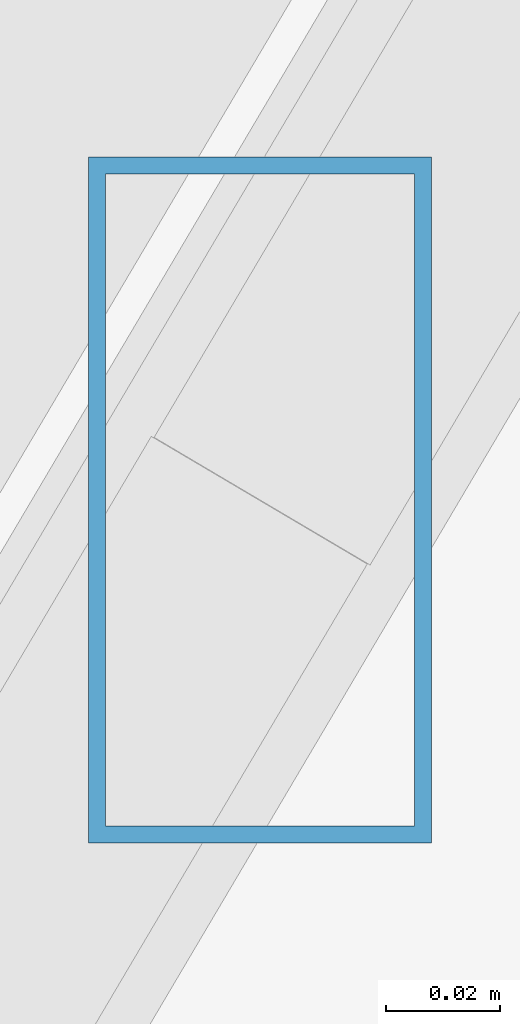
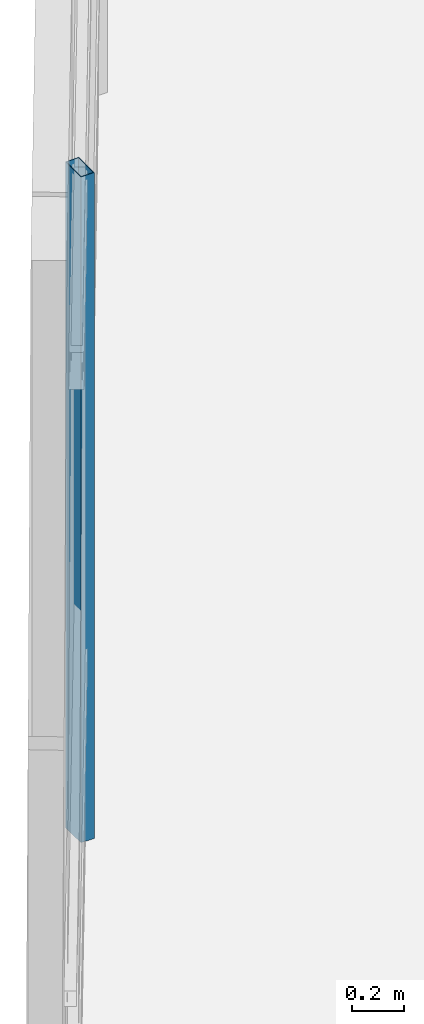
# One storey, part 7 of 44: 1 member, 1 element without a shape of its own.
"""IFC4 building model written with IfcOpenShell, lengths in metres."""

from ifc_helpers import new_model, si_unit, direction, frame, origin, origin_2d, place, context, subcontext, project, spatial, hollow_rectangle, extrude, source, transform, mapped, material, material_profile, profile_set, type_object, type_shapes, element, aggregate, save


model = new_model("IFC4")

# Units and contexts
model_context = context("Model", 3, precision=1e-05, world=origin(), true_north=direction((0.0, 1.0)))
body_context = subcontext(model_context, "Body", "Model", "MODEL_VIEW")
ifc_project = project(units=[si_unit("LENGTHUNIT", "METRE"), si_unit("AREAUNIT", "SQUARE_METRE"), si_unit("VOLUMEUNIT", "CUBIC_METRE"), si_unit("PLANEANGLEUNIT", "RADIAN"), si_unit("MASSUNIT", "GRAM", prefix="KILO")], contexts=[model_context])

# Site, building, storey
site_placement = place(None, origin())
site = spatial("IfcSite", under=ifc_project, at=site_placement, CompositionType="ELEMENT")
building_placement = place(site_placement, origin())
building = spatial("IfcBuilding", under=site, at=building_placement, Name="Caelisora Broadcast Tower", CompositionType="ELEMENT")
storey_placement = place(building_placement, frame((0.0, 0.0, 296.60009765625)))
storey = spatial("IfcBuildingStorey", under=building, at=storey_placement, Name="L78", CompositionType="ELEMENT", Elevation=296.60009765625)

# Curtain wall, member
ifc_material_1 = material(Name="Unitised Aluminium Insulated Shadow-Box Spandrel Curtain Wall", Category="aluminium")
curtain_wall_type = type_object("IfcCurtainWallType", Name="CW-SP3", PredefinedType="NOTDEFINED", material=ifc_material_1)
curtain_wall_placement = place(storey_placement, origin())
curtain_wall = element("IfcCurtainWall", 1, at=curtain_wall_placement, inside=storey, type_object=curtain_wall_type, Name="L78 curtain wall CW-SP3", PredefinedType="NOTDEFINED")
ifc_material_2 = material(Name="Aluminium 6063-T6 Anodised Terracotta Bronze", Category="aluminium")
ifc_material_profile = material_profile(ifc_material_2, hollow_rectangle(XDim=0.06005859375, YDim=0.1201171875, WallThickness=0.0029296875, at=origin_2d()), Name="Aluminium 6063-T6 Anodised Terracotta Bronze")
ifc_profile_set = profile_set([ifc_material_profile], Name="Aluminium 6063-T6 Anodised Terracotta Bronze")
member_type = type_object("IfcMemberType", Name="CWM-04", PredefinedType="MULLION", material=ifc_profile_set)
shared_shape = source(origin(), body_context, "Body", "SweptSolid", [
    extrude(hollow_rectangle(XDim=0.06005859375, YDim=0.1201171875, WallThickness=0.0029296875, at=origin_2d()), origin(), (0.0, 0.0, 1.0), 3.14990234375),
])
type_shapes(member_type, [shared_shape])
member_placement = place(storey_placement, frame((15.779541015625, 16.67919921875, 0.0), z_axis=(0.0, 0.0, 1.0), x_axis=(1.0, 0.0, 0.0)))
member = element("IfcMember", 2, at=member_placement, type_object=member_type, Name="L78-CW-B09 mullion #1", PredefinedType="MULLION", context=body_context, shape_type="MappedRepresentation", body=[
    mapped(shared_shape, transform((0.0, 0.0, 0.0), scale=1.0)),
])
aggregate(curtain_wall, [member])

save(model, "model.ifc")
